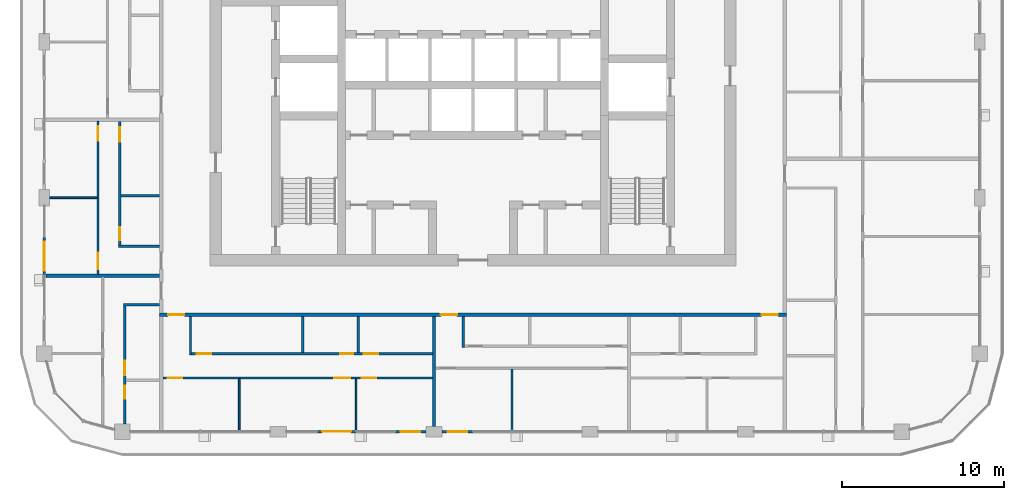
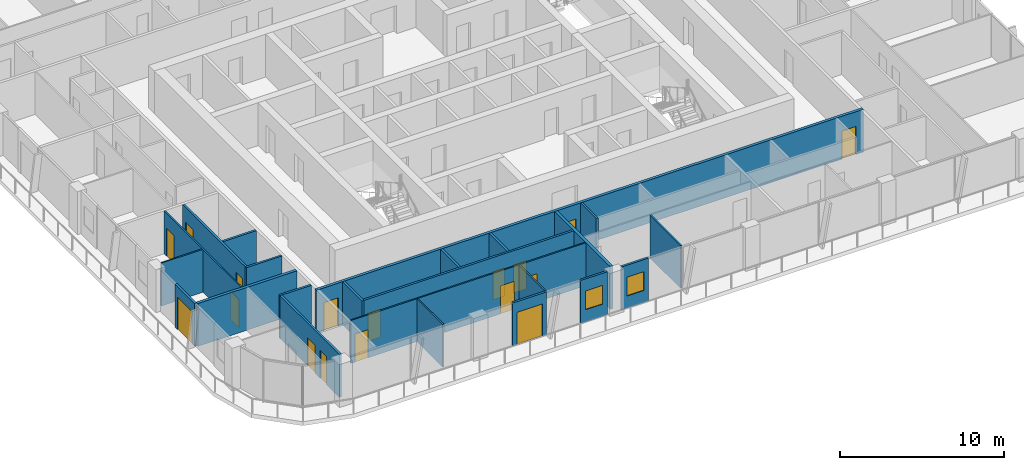
# One storey, part 9 of 23: 23 walls, 17 doors, 2 windows, 19 openings.
"""IFC4 building model written with IfcOpenShell, lengths in metres."""

from ifc_helpers import new_model, si_unit, direction, frame, frame_2d, origin, place, context, subcontext, project, spatial, rectangle, extrude, material, layer, layer_set, type_object, element, fill, save


model = new_model("IFC4")

# Units and contexts
model_context = context("Model", 3, precision=1e-05, world=origin(), true_north=direction((0.0, 1.0)))
body_context = subcontext(model_context, "Body", "Model", "MODEL_VIEW")
ifc_project = project(units=[si_unit("LENGTHUNIT", "METRE"), si_unit("AREAUNIT", "SQUARE_METRE"), si_unit("VOLUMEUNIT", "CUBIC_METRE"), si_unit("PLANEANGLEUNIT", "RADIAN"), si_unit("MASSUNIT", "GRAM", prefix="KILO")], contexts=[model_context])

# Site, building, storey
site_placement = place(None, origin())
site = spatial("IfcSite", under=ifc_project, at=site_placement, CompositionType="ELEMENT")
building_placement = place(site_placement, origin())
building = spatial("IfcBuilding", under=site, at=building_placement, Name="Madar Terraces", CompositionType="ELEMENT")
storey_placement = place(building_placement, frame((0.0, 0.0, 212.300048828125)))
storey = spatial("IfcBuildingStorey", under=building, at=storey_placement, Name="L55", CompositionType="ELEMENT", Elevation=212.300048828125)

# Wall, opening, door
ifc_material_1 = material(Name="Aluminium composite panel, black, over insulated backing", Category="aluminium")
ifc_layer_1 = layer(ifc_material_1, 0.14990234375)
ifc_layer_set_1 = layer_set([ifc_layer_1], Name="Facade bay panel 150")
wall_type_1 = type_object("IfcWallType", Name="Facade bay panel 150", PredefinedType="SOLIDWALL", material=ifc_layer_set_1)
wall_1_placement = place(storey_placement, frame((21.60009765625, 4.800048828125, 0.0), z_axis=(0.0, 0.0, 1.0), x_axis=(1.0, 0.0, 0.0)))
wall_1 = element("IfcWall", 1, at=wall_1_placement, inside=storey, type_object=wall_type_1, Name="Facade bay panel", PredefinedType="SOLIDWALL", context=body_context, shape_type="SweptSolid", body=[
    extrude(rectangle(XDim=2.39990234375, YDim=0.14990234375, at=frame_2d((1.199951171875, 0.0))), origin(), (0.0, 0.0, 1.0), 3.199951171875),
])
opening_1_placement = place(wall_1_placement, frame((0.300048828125, 0.0, 0.0)))
opening_1 = element("IfcOpeningElement", 2, at=opening_1_placement, cuts=wall_1, Name="Opening ED1", PredefinedType="OPENING", context=body_context, shape_type="SweptSolid", body=[
    extrude(rectangle(XDim=1.800048828125, YDim=2.39990234375, at=frame_2d((0.89990234375, 1.199951171875))), frame((0.0, 0.0849609375, 0.0), z_axis=(0.0, -1.0, 0.0), x_axis=(1.0, 0.0, 0.0)), (0.0, 0.0, 1.0), 0.169921875),
])
ifc_material_2 = material(Name="Glass, clear, with black aluminium frame", Category="aluminium")
door_type_1 = type_object("IfcDoorType", Name="Balcony and terrace sliding door 1800 x 2400", OperationType="SLIDING_TO_LEFT", PredefinedType="DOOR", material=ifc_material_2)
door_1_placement = place(opening_1_placement, origin())
door_1 = element("IfcDoor", 3, at=door_1_placement, inside=storey, type_object=door_type_1, Name="Balcony door", OperationType="SLIDING_TO_LEFT", OverallHeight=2.39990234375, OverallWidth=1.800048828125, PredefinedType="DOOR", context=body_context, shape_type="SweptSolid", body=[
    extrude(rectangle(XDim=1.800048828125, YDim=2.39990234375, at=frame_2d((0.89990234375, 1.199951171875))), frame((0.0, 0.02490234375, 0.0), z_axis=(0.0, -1.0, 0.0), x_axis=(1.0, 0.0, 0.0)), (0.0, 0.0, 1.0), 0.050048828125),
])
fill(opening_1, door_1)

# Wall, opening, window
wall_2_placement = place(storey_placement, frame((26.39990234375, 4.800048828125, 0.0), z_axis=(0.0, 0.0, 1.0), x_axis=(1.0, 0.0, 0.0)))
wall_2 = element("IfcWall", 4, at=wall_2_placement, inside=storey, type_object=wall_type_1, Name="Facade bay panel", PredefinedType="SOLIDWALL", context=body_context, shape_type="SweptSolid", body=[
    extrude(rectangle(XDim=1.900146484375, YDim=0.14990234375, at=frame_2d((0.9501953125, 0.0))), origin(), (0.0, 0.0, 1.0), 3.199951171875),
])
opening_2_placement = place(wall_2_placement, frame((0.35009765625, 0.0, 0.89990234375)))
opening_2 = element("IfcOpeningElement", 5, at=opening_2_placement, cuts=wall_2, Name="Opening W1", PredefinedType="OPENING", context=body_context, shape_type="SweptSolid", body=[
    extrude(rectangle(XDim=1.199951171875, YDim=1.39990234375, at=frame_2d((0.60009765625, 0.699951171875))), frame((0.0, 0.0849609375, 0.0), z_axis=(0.0, -1.0, 0.0), x_axis=(1.0, 0.0, 0.0)), (0.0, 0.0, 1.0), 0.169921875),
])
ifc_material_3 = material(Name="Glass, clear, with black aluminium frame", Category="aluminium")
window_type = type_object("IfcWindowType", Name="Vent window 1200 x 1400", PartitioningType="SINGLE_PANEL", PredefinedType="WINDOW", material=ifc_material_3)
window_1_placement = place(opening_2_placement, origin())
window_1 = element("IfcWindow", 6, at=window_1_placement, inside=storey, type_object=window_type, Name="Operable vent window", OverallHeight=1.39990234375, OverallWidth=1.199951171875, PartitioningType="SINGLE_PANEL", PredefinedType="WINDOW", context=body_context, shape_type="SweptSolid", body=[
    extrude(rectangle(XDim=1.199951171875, YDim=1.39990234375, at=frame_2d((0.60009765625, 0.699951171875))), frame((0.0, 0.030029296875, 0.0), z_axis=(0.0, -1.0, 0.0), x_axis=(1.0, 0.0, 0.0)), (0.0, 0.0, 1.0), 0.06005859375),
])
fill(opening_2, window_1)

wall_3_placement = place(storey_placement, frame((29.300048828125, 4.800048828125, 0.0), z_axis=(0.0, 0.0, 1.0), x_axis=(1.0, 0.0, 0.0)))
wall_3 = element("IfcWall", 7, at=wall_3_placement, inside=storey, type_object=wall_type_1, Name="Facade bay panel", PredefinedType="SOLIDWALL", context=body_context, shape_type="SweptSolid", body=[
    extrude(rectangle(XDim=1.89990234375, YDim=0.14990234375, at=frame_2d((0.949951171875, 0.0))), origin(), (0.0, 0.0, 1.0), 3.199951171875),
])
opening_3_placement = place(wall_3_placement, frame((0.35009765625, 0.0, 0.89990234375)))
opening_3 = element("IfcOpeningElement", 8, at=opening_3_placement, cuts=wall_3, Name="Opening W1", PredefinedType="OPENING", context=body_context, shape_type="SweptSolid", body=[
    extrude(rectangle(XDim=1.199951171875, YDim=1.39990234375, at=frame_2d((0.60009765625, 0.699951171875))), frame((0.0, 0.0849609375, 0.0), z_axis=(0.0, -1.0, 0.0), x_axis=(1.0, 0.0, 0.0)), (0.0, 0.0, 1.0), 0.169921875),
])
window_2_placement = place(opening_3_placement, origin())
window_2 = element("IfcWindow", 9, at=window_2_placement, inside=storey, type_object=window_type, Name="Operable vent window", OverallHeight=1.39990234375, OverallWidth=1.199951171875, PartitioningType="SINGLE_PANEL", PredefinedType="WINDOW", context=body_context, shape_type="SweptSolid", body=[
    extrude(rectangle(XDim=1.199951171875, YDim=1.39990234375, at=frame_2d((0.60009765625, 0.699951171875))), frame((0.0, 0.030029296875, 0.0), z_axis=(0.0, -1.0, 0.0), x_axis=(1.0, 0.0, 0.0)), (0.0, 0.0, 1.0), 0.06005859375),
])
fill(opening_3, window_2)

# Wall, opening, door
wall_4_placement = place(storey_placement, frame((4.800048828125, 16.800048828125, 0.0), z_axis=(0.0, 0.0, 1.0), x_axis=(0.0, -1.0, 0.0)))
wall_4 = element("IfcWall", 10, at=wall_4_placement, inside=storey, type_object=wall_type_1, Name="Facade bay panel", PredefinedType="SOLIDWALL", context=body_context, shape_type="SweptSolid", body=[
    extrude(rectangle(XDim=2.400146484375, YDim=0.14990234375, at=frame_2d((1.2001953125, 0.0))), origin(), (0.0, 0.0, 1.0), 3.199951171875),
])
opening_4_placement = place(wall_4_placement, frame((0.300048828125, 0.0, 0.0)))
opening_4 = element("IfcOpeningElement", 11, at=opening_4_placement, cuts=wall_4, Name="Opening ED1", PredefinedType="OPENING", context=body_context, shape_type="SweptSolid", body=[
    extrude(rectangle(XDim=1.800048828125, YDim=2.39990234375, at=frame_2d((0.89990234375, 1.199951171875))), frame((0.0, 0.0849609375, 0.0), z_axis=(0.0, -1.0, 0.0), x_axis=(1.0, 0.0, 0.0)), (0.0, 0.0, 1.0), 0.169921875),
])
door_2_placement = place(opening_4_placement, origin())
door_2 = element("IfcDoor", 12, at=door_2_placement, inside=storey, type_object=door_type_1, Name="Balcony door", OperationType="SLIDING_TO_RIGHT", OverallHeight=2.39990234375, OverallWidth=1.800048828125, PredefinedType="DOOR", context=body_context, shape_type="SweptSolid", body=[
    extrude(rectangle(XDim=1.800048828125, YDim=2.39990234375, at=frame_2d((0.89990234375, 1.199951171875))), frame((0.0, 0.02490234375, 0.0), z_axis=(0.0, -1.0, 0.0), x_axis=(1.0, 0.0, 0.0)), (0.0, 0.0, 1.0), 0.050048828125),
])
fill(opening_4, door_2)

# Walls
ifc_material_4 = material(Name="Gypsum board on steel studs", Category="steel")
ifc_layer_2 = layer(ifc_material_4, 0.10009765625)
ifc_layer_set_2 = layer_set([ifc_layer_2], Name="Flat partition 100")
wall_type_2 = type_object("IfcWallType", Name="Flat partition 100", PredefinedType="PARTITIONING", material=ifc_layer_set_2)
for number, where, z_axis, x_axis, name in (
    (13, (16.800048828125, 8.050048828125, 0.0), (0.0, 0.0, 1.0), (0.0, -1.0, 0.0), "Flat partition 100"),
    (14, (24.0, 8.050048828125, 0.0), (0.0, 0.0, 1.0), (0.0, -1.0, 0.0), "Flat partition 100"),
):
    element("IfcWall", number, at=place(storey_placement, frame(where, z_axis=z_axis, x_axis=x_axis)), inside=storey, type_object=wall_type_2, Name=name, PredefinedType="PARTITIONING", context=body_context, shape_type="SweptSolid", body=[
        extrude(rectangle(XDim=3.150146484375, YDim=0.10009765625, at=frame_2d((1.5751953125, 0.0))), origin(), (0.0, 0.0, 1.0), 3.199951171875),
    ])

# Wall, openings, doors
wall_5_placement = place(storey_placement, frame((28.699951171875, 8.10009765625, 0.0), z_axis=(0.0, 0.0, 1.0), x_axis=(-1.0, 0.0, 0.0)))
wall_5 = element("IfcWall", 15, at=wall_5_placement, inside=storey, type_object=wall_type_2, Name="Flat partition 100", PredefinedType="PARTITIONING", context=body_context, shape_type="SweptSolid", body=[
    extrude(rectangle(XDim=16.599853515625, YDim=0.10009765625, at=frame_2d((8.2998046875, 0.0))), origin(), (0.0, 0.0, 1.0), 3.199951171875),
])
opening_5_placement = place(wall_5_placement, frame((15.39990234375, 0.0, 0.0)))
opening_5 = element("IfcOpeningElement", 16, at=opening_5_placement, cuts=wall_5, Name="Opening D2", PredefinedType="OPENING", context=body_context, shape_type="SweptSolid", body=[
    extrude(rectangle(XDim=0.89990234375, YDim=2.10009765625, at=frame_2d((0.449951171875, 1.050048828125))), frame((0.0, 0.06005859375, 0.0), z_axis=(0.0, -1.0, 0.0), x_axis=(1.0, 0.0, 0.0)), (0.0, 0.0, 1.0), 0.1201171875),
])
opening_6_placement = place(wall_5_placement, frame((5.050048828125, 0.0, 0.0)))
opening_6 = element("IfcOpeningElement", 17, at=opening_6_placement, cuts=wall_5, Name="Opening D3", PredefinedType="OPENING", context=body_context, shape_type="SweptSolid", body=[
    extrude(rectangle(XDim=1.0, YDim=2.10009765625, at=frame_2d((0.5, 1.050048828125))), frame((0.0, 0.06005859375, 0.0), z_axis=(0.0, -1.0, 0.0), x_axis=(1.0, 0.0, 0.0)), (0.0, 0.0, 1.0), 0.1201171875),
])
opening_7_placement = place(wall_5_placement, frame((3.449951171875, 0.0, 0.0)))
opening_7 = element("IfcOpeningElement", 18, at=opening_7_placement, cuts=wall_5, Name="Opening D2", PredefinedType="OPENING", context=body_context, shape_type="SweptSolid", body=[
    extrude(rectangle(XDim=0.89990234375, YDim=2.10009765625, at=frame_2d((0.449951171875, 1.050048828125))), frame((0.0, 0.06005859375, 0.0), z_axis=(0.0, -1.0, 0.0), x_axis=(1.0, 0.0, 0.0)), (0.0, 0.0, 1.0), 0.1201171875),
])
ifc_material_5 = material(Name="Timber door leaf", Category="wood")
door_type_2 = type_object("IfcDoorType", Name="Flat living room door 1000", OperationType="NOTDEFINED", PredefinedType="DOOR", material=ifc_material_5)
door_3_placement = place(opening_6_placement, origin())
door_3 = element("IfcDoor", 19, at=door_3_placement, inside=storey, type_object=door_type_2, Name="Flat living room door 1000", OperationType="SINGLE_SWING_LEFT", OverallHeight=2.10009765625, OverallWidth=1.0, PredefinedType="DOOR", context=body_context, shape_type="SweptSolid", body=[
    extrude(rectangle(XDim=1.0, YDim=2.10009765625, at=frame_2d((0.5, 1.050048828125))), frame((0.0, 0.02490234375, 0.0), z_axis=(0.0, -1.0, 0.0), x_axis=(1.0, 0.0, 0.0)), (0.0, 0.0, 1.0), 0.050048828125),
])
fill(opening_6, door_3)
ifc_material_6 = material(Name="Timber door leaf", Category="wood")
door_type_3 = type_object("IfcDoorType", Name="Flat room door 900", OperationType="NOTDEFINED", PredefinedType="DOOR", material=ifc_material_6)
door_4_placement = place(opening_5_placement, origin())
door_4 = element("IfcDoor", 20, at=door_4_placement, inside=storey, type_object=door_type_3, Name="Flat room door 900", OperationType="SINGLE_SWING_RIGHT", OverallHeight=2.10009765625, OverallWidth=0.89990234375, PredefinedType="DOOR", context=body_context, shape_type="SweptSolid", body=[
    extrude(rectangle(XDim=0.89990234375, YDim=2.10009765625, at=frame_2d((0.449951171875, 1.050048828125))), frame((0.0, 0.02490234375, 0.0), z_axis=(0.0, -1.0, 0.0), x_axis=(1.0, 0.0, 0.0)), (0.0, 0.0, 1.0), 0.050048828125),
])
fill(opening_5, door_4)
door_5_placement = place(opening_7_placement, origin())
door_5 = element("IfcDoor", 21, at=door_5_placement, inside=storey, type_object=door_type_3, Name="Flat room door 900", OperationType="SINGLE_SWING_RIGHT", OverallHeight=2.10009765625, OverallWidth=0.89990234375, PredefinedType="DOOR", context=body_context, shape_type="SweptSolid", body=[
    extrude(rectangle(XDim=0.89990234375, YDim=2.10009765625, at=frame_2d((0.449951171875, 1.050048828125))), frame((0.0, 0.02490234375, 0.0), z_axis=(0.0, -1.0, 0.0), x_axis=(1.0, 0.0, 0.0)), (0.0, 0.0, 1.0), 0.050048828125),
])
fill(opening_7, door_5)

# Walls
wall_6_placement = place(storey_placement, frame((33.60009765625, 8.64990234375, 0.0), z_axis=(0.0, 0.0, 1.0), x_axis=(0.0, -1.0, 0.0)))
element("IfcWall", 22, at=wall_6_placement, inside=storey, type_object=wall_type_2, Name="Flat partition 100", PredefinedType="PARTITIONING", context=body_context, shape_type="SweptSolid", body=[
    extrude(rectangle(XDim=3.75, YDim=0.10009765625, at=frame_2d((1.875, 0.0))), origin(), (0.0, 0.0, 1.0), 3.199951171875),
])
wall_7_placement = place(storey_placement, frame((8.050048828125, 19.199951171875, 0.0), z_axis=(0.0, 0.0, 1.0), x_axis=(-1.0, 0.0, 0.0)))
element("IfcWall", 23, at=wall_7_placement, inside=storey, type_object=wall_type_2, Name="Flat partition 100", PredefinedType="PARTITIONING", context=body_context, shape_type="SweptSolid", body=[
    extrude(rectangle(XDim=2.925048828125, YDim=0.10009765625, at=frame_2d((1.46240234375, 0.0))), origin(), (0.0, 0.0, 1.0), 3.199951171875),
])

# Wall, openings, doors
wall_8_placement = place(storey_placement, frame((8.10009765625, 14.5, 0.0), z_axis=(0.0, 0.0, 1.0), x_axis=(0.0, 1.0, 0.0)))
wall_8 = element("IfcWall", 24, at=wall_8_placement, inside=storey, type_object=wall_type_2, Name="Flat partition 100", PredefinedType="PARTITIONING", context=body_context, shape_type="SweptSolid", body=[
    extrude(rectangle(XDim=9.39990234375, YDim=0.10009765625, at=frame_2d((4.699951171875, 0.0))), origin(), (0.0, 0.0, 1.0), 3.199951171875),
])
opening_8_placement = place(wall_8_placement, frame((0.300048828125, 0.0, 0.0)))
opening_8 = element("IfcOpeningElement", 25, at=opening_8_placement, cuts=wall_8, Name="Opening D3", PredefinedType="OPENING", context=body_context, shape_type="SweptSolid", body=[
    extrude(rectangle(XDim=1.0, YDim=2.10009765625, at=frame_2d((0.5, 1.050048828125))), frame((0.0, 0.06005859375, 0.0), z_axis=(0.0, -1.0, 0.0), x_axis=(1.0, 0.0, 0.0)), (0.0, 0.0, 1.0), 0.1201171875),
])
opening_9_placement = place(wall_8_placement, frame((8.199951171875, 0.0, 0.0)))
opening_9 = element("IfcOpeningElement", 26, at=opening_9_placement, cuts=wall_8, Name="Opening D2", PredefinedType="OPENING", context=body_context, shape_type="SweptSolid", body=[
    extrude(rectangle(XDim=0.89990234375, YDim=2.10009765625, at=frame_2d((0.449951171875, 1.050048828125))), frame((0.0, 0.06005859375, 0.0), z_axis=(0.0, -1.0, 0.0), x_axis=(1.0, 0.0, 0.0)), (0.0, 0.0, 1.0), 0.1201171875),
])
door_6_placement = place(opening_8_placement, origin())
door_6 = element("IfcDoor", 27, at=door_6_placement, inside=storey, type_object=door_type_2, Name="Flat living room door 1000", OperationType="SINGLE_SWING_LEFT", OverallHeight=2.10009765625, OverallWidth=1.0, PredefinedType="DOOR", context=body_context, shape_type="SweptSolid", body=[
    extrude(rectangle(XDim=1.0, YDim=2.10009765625, at=frame_2d((0.5, 1.050048828125))), frame((0.0, 0.02490234375, 0.0), z_axis=(0.0, -1.0, 0.0), x_axis=(1.0, 0.0, 0.0)), (0.0, 0.0, 1.0), 0.050048828125),
])
fill(opening_8, door_6)
door_7_placement = place(opening_9_placement, origin())
door_7 = element("IfcDoor", 28, at=door_7_placement, inside=storey, type_object=door_type_3, Name="Flat room door 900", OperationType="SINGLE_SWING_RIGHT", OverallHeight=2.10009765625, OverallWidth=0.89990234375, PredefinedType="DOOR", context=body_context, shape_type="SweptSolid", body=[
    extrude(rectangle(XDim=0.89990234375, YDim=2.10009765625, at=frame_2d((0.449951171875, 1.050048828125))), frame((0.0, 0.02490234375, 0.0), z_axis=(0.0, -1.0, 0.0), x_axis=(1.0, 0.0, 0.0)), (0.0, 0.0, 1.0), 0.050048828125),
])
fill(opening_9, door_7)

ifc_material_7 = material(Name="Lightweight blockwork", Category="masonry")
ifc_layer_3 = layer(ifc_material_7, 0.199951171875)
ifc_layer_set_3 = layer_set([ifc_layer_3], Name="Flat party and entrance wall 200")
wall_type_3 = type_object("IfcWallType", Name="Flat party and entrance wall 200", PredefinedType="PARTITIONING", material=ifc_layer_set_3)
wall_9_placement = place(storey_placement, frame((50.5, 12.0, 0.0), z_axis=(0.0, 0.0, 1.0), x_axis=(-1.0, 0.0, 0.0)))
wall_9 = element("IfcWall", 29, at=wall_9_placement, inside=storey, type_object=wall_type_3, Name="Flat party and entrance wall 200", PredefinedType="PARTITIONING", context=body_context, shape_type="SweptSolid", body=[
    extrude(rectangle(XDim=38.60009765625, YDim=0.199951171875, at=frame_2d((19.300048828125, 0.0))), origin(), (0.0, 0.0, 1.0), 3.199951171875),
])
opening_10_placement = place(wall_9_placement, frame((37.074951171875, 0.0, 0.0)))
opening_10 = element("IfcOpeningElement", 30, at=opening_10_placement, cuts=wall_9, Name="Opening D1", PredefinedType="OPENING", context=body_context, shape_type="SweptSolid", body=[
    extrude(rectangle(XDim=1.0, YDim=2.10009765625, at=frame_2d((0.5, 1.050048828125))), frame((0.0, 0.10986328125, 0.0), z_axis=(0.0, -1.0, 0.0), x_axis=(1.0, 0.0, 0.0)), (0.0, 0.0, 1.0), 0.219970703125),
])
opening_11_placement = place(wall_9_placement, frame((20.27490234375, 0.0, 0.0)))
opening_11 = element("IfcOpeningElement", 31, at=opening_11_placement, cuts=wall_9, Name="Opening D1", PredefinedType="OPENING", context=body_context, shape_type="SweptSolid", body=[
    extrude(rectangle(XDim=1.0, YDim=2.10009765625, at=frame_2d((0.5, 1.050048828125))), frame((0.0, 0.10986328125, 0.0), z_axis=(0.0, -1.0, 0.0), x_axis=(1.0, 0.0, 0.0)), (0.0, 0.0, 1.0), 0.219970703125),
])
opening_12_placement = place(wall_9_placement, frame((0.52490234375, 0.0, 0.0)))
opening_12 = element("IfcOpeningElement", 32, at=opening_12_placement, cuts=wall_9, Name="Opening D1", PredefinedType="OPENING", context=body_context, shape_type="SweptSolid", body=[
    extrude(rectangle(XDim=1.0, YDim=2.10009765625, at=frame_2d((0.5, 1.050048828125))), frame((0.0, 0.10986328125, 0.0), z_axis=(0.0, -1.0, 0.0), x_axis=(1.0, 0.0, 0.0)), (0.0, 0.0, 1.0), 0.219970703125),
])
ifc_material_8 = material(Name="Timber fire door leaf", Category="wood")
door_type_4 = type_object("IfcDoorType", Name="Flat entrance door 1000 FD30S", OperationType="NOTDEFINED", PredefinedType="DOOR", material=ifc_material_8)
door_8_placement = place(opening_10_placement, origin())
door_8 = element("IfcDoor", 33, at=door_8_placement, inside=storey, type_object=door_type_4, Name="Flat entrance door 1000 FD30S", OperationType="SINGLE_SWING_RIGHT", OverallHeight=2.10009765625, OverallWidth=1.0, PredefinedType="DOOR", context=body_context, shape_type="SweptSolid", body=[
    extrude(rectangle(XDim=1.0, YDim=2.10009765625, at=frame_2d((0.5, 1.050048828125))), frame((0.0, 0.02490234375, 0.0), z_axis=(0.0, -1.0, 0.0), x_axis=(1.0, 0.0, 0.0)), (0.0, 0.0, 1.0), 0.050048828125),
])
fill(opening_10, door_8)
door_9_placement = place(opening_11_placement, origin())
door_9 = element("IfcDoor", 34, at=door_9_placement, inside=storey, type_object=door_type_4, Name="Flat entrance door 1000 FD30S", OperationType="SINGLE_SWING_RIGHT", OverallHeight=2.10009765625, OverallWidth=1.0, PredefinedType="DOOR", context=body_context, shape_type="SweptSolid", body=[
    extrude(rectangle(XDim=1.0, YDim=2.10009765625, at=frame_2d((0.5, 1.050048828125))), frame((0.0, 0.02490234375, 0.0), z_axis=(0.0, -1.0, 0.0), x_axis=(1.0, 0.0, 0.0)), (0.0, 0.0, 1.0), 0.050048828125),
])
fill(opening_11, door_9)
door_10_placement = place(opening_12_placement, origin())
door_10 = element("IfcDoor", 35, at=door_10_placement, inside=storey, type_object=door_type_4, Name="Flat entrance door 1000 FD30S", OperationType="SINGLE_SWING_LEFT", OverallHeight=2.10009765625, OverallWidth=1.0, PredefinedType="DOOR", context=body_context, shape_type="SweptSolid", body=[
    extrude(rectangle(XDim=1.0, YDim=2.10009765625, at=frame_2d((0.5, 1.050048828125))), frame((0.0, 0.02490234375, 0.0), z_axis=(0.0, -1.0, 0.0), x_axis=(1.0, 0.0, 0.0)), (0.0, 0.0, 1.0), 0.050048828125),
])
fill(opening_12, door_10)

# Walls
wall_10_placement = place(storey_placement, frame((28.800048828125, 11.89990234375, 0.0), z_axis=(0.0, 0.0, 1.0), x_axis=(0.0, -1.0, 0.0)))
element("IfcWall", 36, at=wall_10_placement, inside=storey, type_object=wall_type_3, Name="Flat party and entrance wall 200", PredefinedType="PARTITIONING", context=body_context, shape_type="SweptSolid", body=[
    extrude(rectangle(XDim=6.77490234375, YDim=0.199951171875, at=frame_2d((3.387451171875, 0.0))), origin(), (0.0, 0.0, 1.0), 3.199951171875),
])
wall_11_placement = place(storey_placement, frame((4.89990234375, 14.39990234375, 0.0), z_axis=(0.0, 0.0, 1.0), x_axis=(1.0, 0.0, 0.0)))
element("IfcWall", 37, at=wall_11_placement, inside=storey, type_object=wall_type_3, Name="Flat party and entrance wall 200", PredefinedType="PARTITIONING", context=body_context, shape_type="SweptSolid", body=[
    extrude(rectangle(XDim=7.0, YDim=0.199951171875, at=frame_2d((3.5, 0.0))), origin(), (0.0, 0.0, 1.0), 3.199951171875),
])
ifc_material_9 = material(Name="Lightweight blockwork", Category="masonry")
ifc_layer_4 = layer(ifc_material_9, 0.14990234375)
ifc_layer_set_4 = layer_set([ifc_layer_4], Name="Flat wet-room partition 150")
wall_type_4 = type_object("IfcWallType", Name="Flat wet-room partition 150", PredefinedType="PARTITIONING", material=ifc_layer_set_4)
for number, where, z_axis, x_axis, name in (
    (38, (20.71728515625, 11.89990234375, 0.0), (0.0, 0.0, 1.0), (0.0, -1.0, 0.0), "Flat wet-room partition 150"),
    (39, (24.138427734375, 11.89990234375, 0.0), (0.0, 0.0, 1.0), (0.0, -1.0, 0.0), "Flat wet-room partition 150"),
):
    element("IfcWall", number, at=place(storey_placement, frame(where, z_axis=z_axis, x_axis=x_axis)), inside=storey, type_object=wall_type_4, Name=name, PredefinedType="PARTITIONING", context=body_context, shape_type="SweptSolid", body=[
        extrude(rectangle(XDim=2.224853515625, YDim=0.14990234375, at=frame_2d((1.1123046875, 0.0))), origin(), (0.0, 0.0, 1.0), 3.199951171875),
    ])
wall_12_placement = place(storey_placement, frame((13.800048828125, 11.89990234375, 0.0), z_axis=(0.0, 0.0, 1.0), x_axis=(0.0, -1.0, 0.0)))
element("IfcWall", 40, at=wall_12_placement, inside=storey, type_object=wall_type_4, Name="Flat wet-room partition 150", PredefinedType="PARTITIONING", context=body_context, shape_type="SweptSolid", body=[
    extrude(rectangle(XDim=2.375, YDim=0.14990234375, at=frame_2d((1.1875, 0.0))), origin(), (0.0, 0.0, 1.0), 3.199951171875),
])

# Wall, openings, doors
wall_13_placement = place(storey_placement, frame((13.875, 9.60009765625, 0.0), z_axis=(0.0, 0.0, 1.0), x_axis=(1.0, 0.0, 0.0)))
wall_13 = element("IfcWall", 41, at=wall_13_placement, inside=storey, type_object=wall_type_4, Name="Flat wet-room partition 150", PredefinedType="PARTITIONING", context=body_context, shape_type="SweptSolid", body=[
    extrude(rectangle(XDim=14.824951171875, YDim=0.14990234375, at=frame_2d((7.41259765625, 0.0))), origin(), (0.0, 0.0, 1.0), 3.199951171875),
])
opening_13_placement = place(wall_13_placement, frame((0.300048828125, 0.0, 0.0)))
opening_13 = element("IfcOpeningElement", 42, at=opening_13_placement, cuts=wall_13, Name="Opening D2", PredefinedType="OPENING", context=body_context, shape_type="SweptSolid", body=[
    extrude(rectangle(XDim=0.89990234375, YDim=2.10009765625, at=frame_2d((0.449951171875, 1.050048828125))), frame((0.0, 0.0849609375, 0.0), z_axis=(0.0, -1.0, 0.0), x_axis=(1.0, 0.0, 0.0)), (0.0, 0.0, 1.0), 0.169921875),
])
opening_14_placement = place(wall_13_placement, frame((9.138427734375, 0.0, 0.0)))
opening_14 = element("IfcOpeningElement", 43, at=opening_14_placement, cuts=wall_13, Name="Opening D4", PredefinedType="OPENING", context=body_context, shape_type="SweptSolid", body=[
    extrude(rectangle(XDim=0.800048828125, YDim=2.10009765625, at=frame_2d((0.39990234375, 1.050048828125))), frame((0.0, 0.0849609375, 0.0), z_axis=(0.0, -1.0, 0.0), x_axis=(1.0, 0.0, 0.0)), (0.0, 0.0, 1.0), 0.169921875),
])
opening_15_placement = place(wall_13_placement, frame((10.58837890625, 0.0, 0.0)))
opening_15 = element("IfcOpeningElement", 44, at=opening_15_placement, cuts=wall_13, Name="Opening D5", PredefinedType="OPENING", context=body_context, shape_type="SweptSolid", body=[
    extrude(rectangle(XDim=0.89990234375, YDim=2.10009765625, at=frame_2d((0.449951171875, 1.050048828125))), frame((0.0, 0.0849609375, 0.0), z_axis=(0.0, -1.0, 0.0), x_axis=(1.0, 0.0, 0.0)), (0.0, 0.0, 1.0), 0.169921875),
])
ifc_material_10 = material(Name="Timber door leaf", Category="wood")
door_type_5 = type_object("IfcDoorType", Name="Flat accessible bathroom door 900", OperationType="NOTDEFINED", PredefinedType="DOOR", material=ifc_material_10)
door_11_placement = place(opening_15_placement, origin())
door_11 = element("IfcDoor", 45, at=door_11_placement, inside=storey, type_object=door_type_5, Name="Flat accessible bathroom door 900", OperationType="SINGLE_SWING_LEFT", OverallHeight=2.10009765625, OverallWidth=0.89990234375, PredefinedType="DOOR", context=body_context, shape_type="SweptSolid", body=[
    extrude(rectangle(XDim=0.89990234375, YDim=2.10009765625, at=frame_2d((0.449951171875, 1.050048828125))), frame((0.0, 0.02490234375, 0.0), z_axis=(0.0, -1.0, 0.0), x_axis=(1.0, 0.0, 0.0)), (0.0, 0.0, 1.0), 0.050048828125),
])
fill(opening_15, door_11)
ifc_material_11 = material(Name="Timber door leaf", Category="wood")
door_type_6 = type_object("IfcDoorType", Name="Flat bathroom door 800", OperationType="NOTDEFINED", PredefinedType="DOOR", material=ifc_material_11)
door_12_placement = place(opening_14_placement, origin())
door_12 = element("IfcDoor", 46, at=door_12_placement, inside=storey, type_object=door_type_6, Name="Flat bathroom door 800", OperationType="SINGLE_SWING_RIGHT", OverallHeight=2.10009765625, OverallWidth=0.800048828125, PredefinedType="DOOR", context=body_context, shape_type="SweptSolid", body=[
    extrude(rectangle(XDim=0.800048828125, YDim=2.10009765625, at=frame_2d((0.39990234375, 1.050048828125))), frame((0.0, 0.02490234375, 0.0), z_axis=(0.0, -1.0, 0.0), x_axis=(1.0, 0.0, 0.0)), (0.0, 0.0, 1.0), 0.050048828125),
])
fill(opening_14, door_12)
door_13_placement = place(opening_13_placement, origin())
door_13 = element("IfcDoor", 47, at=door_13_placement, inside=storey, type_object=door_type_3, Name="Flat room door 900", OperationType="SINGLE_SWING_LEFT", OverallHeight=2.10009765625, OverallWidth=0.89990234375, PredefinedType="DOOR", context=body_context, shape_type="SweptSolid", body=[
    extrude(rectangle(XDim=0.89990234375, YDim=2.10009765625, at=frame_2d((0.449951171875, 1.050048828125))), frame((0.0, 0.02490234375, 0.0), z_axis=(0.0, -1.0, 0.0), x_axis=(1.0, 0.0, 0.0)), (0.0, 0.0, 1.0), 0.050048828125),
])
fill(opening_13, door_13)

# Walls
wall_14_placement = place(storey_placement, frame((30.60009765625, 11.89990234375, 0.0), z_axis=(0.0, 0.0, 1.0), x_axis=(0.0, -1.0, 0.0)))
element("IfcWall", 48, at=wall_14_placement, inside=storey, type_object=wall_type_4, Name="Flat wet-room partition 150", PredefinedType="PARTITIONING", context=body_context, shape_type="SweptSolid", body=[
    extrude(rectangle(XDim=1.9248046875, YDim=0.14990234375, at=frame_2d((0.96240234375, 0.0))), origin(), (0.0, 0.0, 1.0), 3.199951171875),
])
wall_15_placement = place(storey_placement, frame((11.89990234375, 19.324951171875, 0.0), z_axis=(0.0, 0.0, 1.0), x_axis=(-1.0, 0.0, 0.0)))
element("IfcWall", 49, at=wall_15_placement, inside=storey, type_object=wall_type_4, Name="Flat wet-room partition 150", PredefinedType="PARTITIONING", context=body_context, shape_type="SweptSolid", body=[
    extrude(rectangle(XDim=2.375, YDim=0.14990234375, at=frame_2d((1.1875, 0.0))), origin(), (0.0, 0.0, 1.0), 3.199951171875),
])
wall_16_placement = place(storey_placement, frame((11.89990234375, 16.199951171875, 0.0), z_axis=(0.0, 0.0, 1.0), x_axis=(-1.0, 0.0, 0.0)))
element("IfcWall", 50, at=wall_16_placement, inside=storey, type_object=wall_type_4, Name="Flat wet-room partition 150", PredefinedType="PARTITIONING", context=body_context, shape_type="SweptSolid", body=[
    extrude(rectangle(XDim=2.52490234375, YDim=0.14990234375, at=frame_2d((1.262451171875, 0.0))), origin(), (0.0, 0.0, 1.0), 3.199951171875),
])

# Wall, openings, doors
wall_17_placement = place(storey_placement, frame((9.449951171875, 23.89990234375, 0.0), z_axis=(0.0, 0.0, 1.0), x_axis=(0.0, -1.0, 0.0)))
wall_17 = element("IfcWall", 51, at=wall_17_placement, inside=storey, type_object=wall_type_4, Name="Flat wet-room partition 150", PredefinedType="PARTITIONING", context=body_context, shape_type="SweptSolid", body=[
    extrude(rectangle(XDim=7.625, YDim=0.14990234375, at=frame_2d((3.8125, 0.0))), origin(), (0.0, 0.0, 1.0), 3.199951171875),
])
opening_16_placement = place(wall_17_placement, frame((6.52490234375, 0.0, 0.0)))
opening_16 = element("IfcOpeningElement", 52, at=opening_16_placement, cuts=wall_17, Name="Opening D4", PredefinedType="OPENING", context=body_context, shape_type="SweptSolid", body=[
    extrude(rectangle(XDim=0.800048828125, YDim=2.10009765625, at=frame_2d((0.39990234375, 1.050048828125))), frame((0.0, 0.0849609375, 0.0), z_axis=(0.0, -1.0, 0.0), x_axis=(1.0, 0.0, 0.0)), (0.0, 0.0, 1.0), 0.169921875),
])
opening_17_placement = place(wall_17_placement, frame((0.35009765625, 0.0, 0.0)))
opening_17 = element("IfcOpeningElement", 53, at=opening_17_placement, cuts=wall_17, Name="Opening D2", PredefinedType="OPENING", context=body_context, shape_type="SweptSolid", body=[
    extrude(rectangle(XDim=0.89990234375, YDim=2.10009765625, at=frame_2d((0.449951171875, 1.050048828125))), frame((0.0, 0.0849609375, 0.0), z_axis=(0.0, -1.0, 0.0), x_axis=(1.0, 0.0, 0.0)), (0.0, 0.0, 1.0), 0.169921875),
])
door_14_placement = place(opening_16_placement, origin())
door_14 = element("IfcDoor", 54, at=door_14_placement, inside=storey, type_object=door_type_6, Name="Flat bathroom door 800", OperationType="SINGLE_SWING_RIGHT", OverallHeight=2.10009765625, OverallWidth=0.800048828125, PredefinedType="DOOR", context=body_context, shape_type="SweptSolid", body=[
    extrude(rectangle(XDim=0.800048828125, YDim=2.10009765625, at=frame_2d((0.39990234375, 1.050048828125))), frame((0.0, 0.02490234375, 0.0), z_axis=(0.0, -1.0, 0.0), x_axis=(1.0, 0.0, 0.0)), (0.0, 0.0, 1.0), 0.050048828125),
])
fill(opening_16, door_14)
door_15_placement = place(opening_17_placement, origin())
door_15 = element("IfcDoor", 55, at=door_15_placement, inside=storey, type_object=door_type_3, Name="Flat room door 900", OperationType="SINGLE_SWING_LEFT", OverallHeight=2.10009765625, OverallWidth=0.89990234375, PredefinedType="DOOR", context=body_context, shape_type="SweptSolid", body=[
    extrude(rectangle(XDim=0.89990234375, YDim=2.10009765625, at=frame_2d((0.449951171875, 1.050048828125))), frame((0.0, 0.02490234375, 0.0), z_axis=(0.0, -1.0, 0.0), x_axis=(1.0, 0.0, 0.0)), (0.0, 0.0, 1.0), 0.050048828125),
])
fill(opening_17, door_15)

# Wall
wall_18_placement = place(storey_placement, frame((11.89990234375, 12.60009765625, 0.0), z_axis=(0.0, 0.0, 1.0), x_axis=(-1.0, 0.0, 0.0)))
element("IfcWall", 56, at=wall_18_placement, inside=storey, type_object=wall_type_4, Name="Flat wet-room partition 150", PredefinedType="PARTITIONING", context=body_context, shape_type="SweptSolid", body=[
    extrude(rectangle(XDim=2.224853515625, YDim=0.14990234375, at=frame_2d((1.1123046875, 0.0))), origin(), (0.0, 0.0, 1.0), 3.199951171875),
])

# Wall, openings, doors
wall_19_placement = place(storey_placement, frame((9.75, 12.52490234375, 0.0), z_axis=(0.0, 0.0, 1.0), x_axis=(0.0, -1.0, 0.0)))
wall_19 = element("IfcWall", 57, at=wall_19_placement, inside=storey, type_object=wall_type_4, Name="Flat wet-room partition 150", PredefinedType="PARTITIONING", context=body_context, shape_type="SweptSolid", body=[
    extrude(rectangle(XDim=7.25, YDim=0.14990234375, at=frame_2d((3.625, 0.0))), origin(), (0.0, 0.0, 1.0), 3.199951171875),
])
opening_18_placement = place(wall_19_placement, frame((3.35009765625, 0.0, 0.0)))
opening_18 = element("IfcOpeningElement", 58, at=opening_18_placement, cuts=wall_19, Name="Opening D2", PredefinedType="OPENING", context=body_context, shape_type="SweptSolid", body=[
    extrude(rectangle(XDim=0.89990234375, YDim=2.10009765625, at=frame_2d((0.449951171875, 1.050048828125))), frame((0.0, 0.0849609375, 0.0), z_axis=(0.0, -1.0, 0.0), x_axis=(1.0, 0.0, 0.0)), (0.0, 0.0, 1.0), 0.169921875),
])
opening_19_placement = place(wall_19_placement, frame((4.89990234375, 0.0, 0.0)))
opening_19 = element("IfcOpeningElement", 59, at=opening_19_placement, cuts=wall_19, Name="Opening D4", PredefinedType="OPENING", context=body_context, shape_type="SweptSolid", body=[
    extrude(rectangle(XDim=0.800048828125, YDim=2.10009765625, at=frame_2d((0.39990234375, 1.050048828125))), frame((0.0, 0.0849609375, 0.0), z_axis=(0.0, -1.0, 0.0), x_axis=(1.0, 0.0, 0.0)), (0.0, 0.0, 1.0), 0.169921875),
])
door_16_placement = place(opening_19_placement, origin())
door_16 = element("IfcDoor", 60, at=door_16_placement, inside=storey, type_object=door_type_6, Name="Flat bathroom door 800", OperationType="SINGLE_SWING_LEFT", OverallHeight=2.10009765625, OverallWidth=0.800048828125, PredefinedType="DOOR", context=body_context, shape_type="SweptSolid", body=[
    extrude(rectangle(XDim=0.800048828125, YDim=2.10009765625, at=frame_2d((0.39990234375, 1.050048828125))), frame((0.0, 0.02490234375, 0.0), z_axis=(0.0, -1.0, 0.0), x_axis=(1.0, 0.0, 0.0)), (0.0, 0.0, 1.0), 0.050048828125),
])
fill(opening_19, door_16)
door_17_placement = place(opening_18_placement, origin())
door_17 = element("IfcDoor", 61, at=door_17_placement, inside=storey, type_object=door_type_3, Name="Flat room door 900", OperationType="SINGLE_SWING_RIGHT", OverallHeight=2.10009765625, OverallWidth=0.89990234375, PredefinedType="DOOR", context=body_context, shape_type="SweptSolid", body=[
    extrude(rectangle(XDim=0.89990234375, YDim=2.10009765625, at=frame_2d((0.449951171875, 1.050048828125))), frame((0.0, 0.02490234375, 0.0), z_axis=(0.0, -1.0, 0.0), x_axis=(1.0, 0.0, 0.0)), (0.0, 0.0, 1.0), 0.050048828125),
])
fill(opening_18, door_17)

save(model, "model.ifc")
